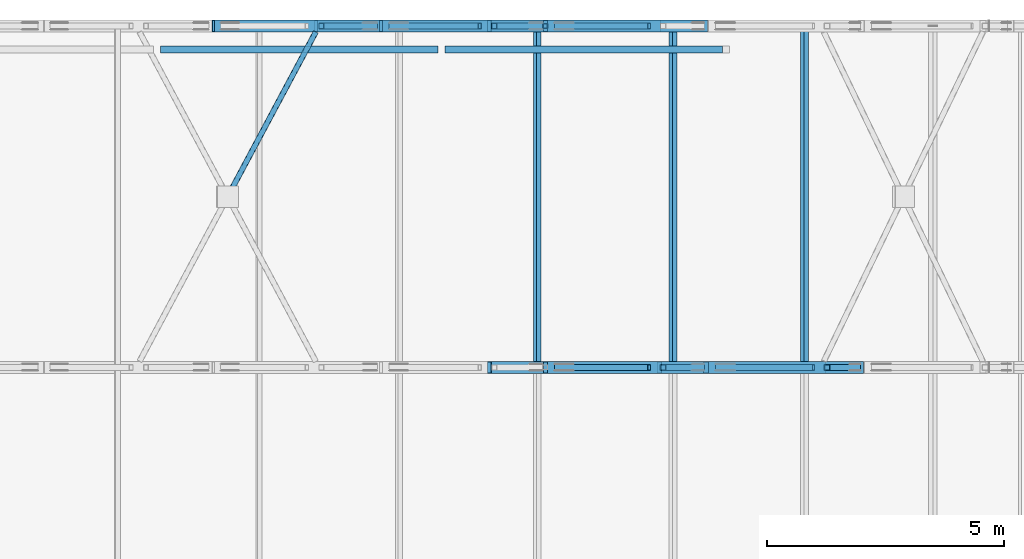
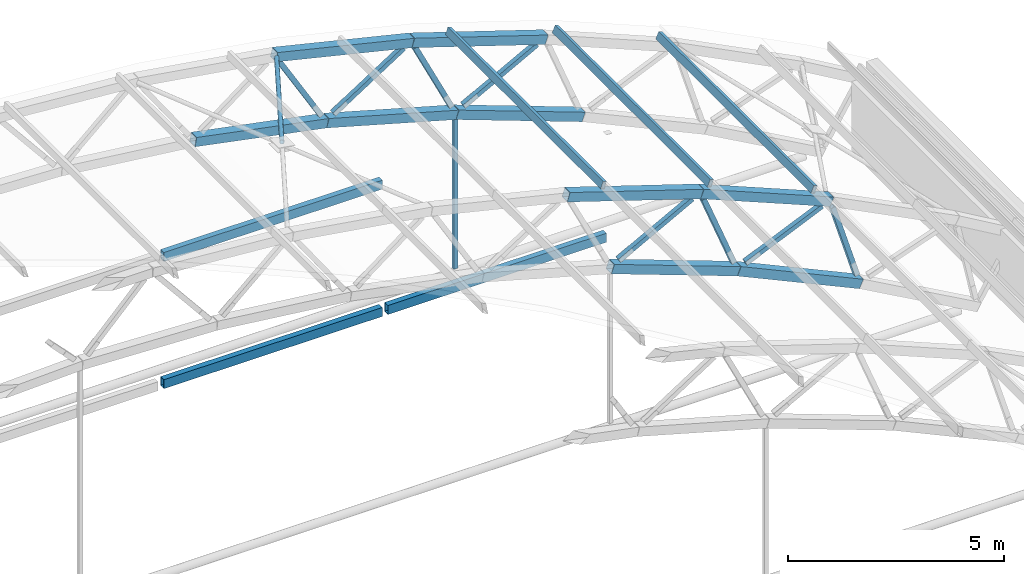
# One storey, part 66 of 127: 22 members, 3 beams.
"""IFC4 building model written with IfcOpenShell, lengths in metres."""

import ifcopenshell
import ifcopenshell.guid

model = None  # the IFC model being written
_history = None  # IfcOwnerHistory: only IFC2X3 demands one
_inside = {}  # id of a spatial element -> (the spatial element, [elements in it])
_under = {}  # id of a project, library or spatial element -> (it, [spatial elements below it])
_declared = {}  # id of a project -> (the project, [libraries it declares])
_typed = {}  # id of a type object -> (the type object, [elements of that type])
_made_of = {}  # id of a material, layer set ... -> (it, [elements and type objects made of it])


def new_model(schema):
    """Start an empty IFC model of exactly this schema.

    Asked for "IFC4X3", IfcOpenShell would pick the latest addendum, in which some entities
    have other attributes; the version numbers below select the first issue.
    IFC2X3 requires an IfcOwnerHistory on every rooted entity: one is made here for all.
    """
    global model, _history
    if schema == "IFC4X3":
        model = ifcopenshell.file(schema_version=(4, 3, 0, 0))
    else:
        model = ifcopenshell.file(schema=schema)
    _inside.clear()
    _under.clear()
    _declared.clear()
    _typed.clear()
    _made_of.clear()
    _history = None
    if model.schema == "IFC2X3":
        org = make("IfcOrganization", Name="unknown")
        user = make(
            "IfcPersonAndOrganization",
            ThePerson=make("IfcPerson", FamilyName="unknown"),
            TheOrganization=org,
        )
        app = make(
            "IfcApplication",
            ApplicationDeveloper=org,
            Version="unknown",
            ApplicationFullName="unknown",
            ApplicationIdentifier="unknown",
        )
        _history = make(
            "IfcOwnerHistory",
            OwningUser=user,
            OwningApplication=app,
            ChangeAction="ADDED",
            CreationDate=0,
        )
    return model


def make(cls, **values):
    """One entity of the class cls with the attributes given. An attribute that is None is left unset."""
    return model.create_entity(
        cls, **{name: value for name, value in values.items() if value is not None}
    )


def rooted(cls, **values):
    """An entity with a GlobalId (a new one), such as an element, a storey or a relation."""
    return make(cls, GlobalId=ifcopenshell.guid.new(), OwnerHistory=_history, **values)


def si_unit(unit_type, name, prefix=None):
    """IfcSIUnit, for example si_unit("LENGTHUNIT", "METRE", prefix="MILLI")."""
    return make("IfcSIUnit", UnitType=unit_type, Prefix=prefix, Name=name)


def assignment(units):
    """IfcUnitAssignment: the units of a project."""
    return None if units is None else make("IfcUnitAssignment", Units=units)


def point(xyz):
    """IfcCartesianPoint."""
    return None if xyz is None else make("IfcCartesianPoint", Coordinates=xyz)


def direction(xyz):
    """IfcDirection."""
    return None if xyz is None else make("IfcDirection", DirectionRatios=xyz)


def frame(location, z_axis=None, x_axis=None):
    """IfcAxis2Placement3D, a coordinate frame: its origin and axes. An axis left out is left unset."""
    return make(
        "IfcAxis2Placement3D",
        Location=point(location),
        Axis=direction(z_axis),
        RefDirection=direction(x_axis),
    )


def frame_2d(location, x_axis=None):
    """IfcAxis2Placement2D, a coordinate frame in the plane: its origin and x axis."""
    return make(
        "IfcAxis2Placement2D", Location=point(location), RefDirection=direction(x_axis)
    )


def origin():
    """The frame at (0, 0, 0) with its axes left unset."""
    return frame((0.0, 0.0, 0.0))


def origin_2d():
    """The frame at (0, 0) in the plane with its x axis left unset."""
    return frame_2d((0.0, 0.0))


def place(relative_to, where):
    """IfcLocalPlacement: puts the frame where relative to a parent placement (None: the world)."""
    return make(
        "IfcLocalPlacement", PlacementRelTo=relative_to, RelativePlacement=where
    )


def context(
    kind, dimensions, precision=None, world=None, true_north=None, identifier=None
):
    """IfcGeometricRepresentationContext, for example the 3D "Model" context."""
    return make(
        "IfcGeometricRepresentationContext",
        ContextIdentifier=identifier,
        ContextType=kind,
        CoordinateSpaceDimension=dimensions,
        Precision=precision,
        WorldCoordinateSystem=world,
        TrueNorth=true_north,
    )


def subcontext(parent, identifier, kind, view, scale=None):
    """IfcGeometricRepresentationSubContext, for example "Body" below "Model"."""
    return make(
        "IfcGeometricRepresentationSubContext",
        ContextIdentifier=identifier,
        ContextType=kind,
        ParentContext=parent,
        TargetScale=scale,
        TargetView=view,
    )


def project(units=None, contexts=None):
    """IfcProject with its units and contexts."""
    return rooted(
        "IfcProject",
        Name="project",
        RepresentationContexts=contexts,
        UnitsInContext=assignment(units),
    )


def spatial(cls, under=None, at=None, **own):
    """A site, building, storey or space (cls), placed at a placement, below another one or the project."""
    s = rooted(cls, ObjectPlacement=at, **own)
    if under is not None:
        _under.setdefault(under.id(), (under, []))[1].append(s)
    return s


def profile(cls, at=None, kind="AREA", **sizes):
    """A parametric profile (cls). Its sizes go by their IFC names, for example OverallWidth=200.0."""
    return make(cls, ProfileType=kind, Position=at, **sizes)


def hollow_rectangle(**sizes):
    """IfcRectangleHollowProfileDef."""
    return profile("IfcRectangleHollowProfileDef", **sizes)


def hollow_circle(**sizes):
    """IfcCircleHollowProfileDef."""
    return profile("IfcCircleHollowProfileDef", **sizes)


def extrude(swept, where, along, depth):
    """IfcExtrudedAreaSolid: the profile swept, set in the frame where, extruded along a direction by depth."""
    return make(
        "IfcExtrudedAreaSolid",
        SweptArea=swept,
        Position=where,
        ExtrudedDirection=direction(along),
        Depth=depth,
    )


def shape(context_of_items, identifier, shape_type, items):
    """IfcShapeRepresentation: the items that make up one representation, for example the "Body"."""
    return make(
        "IfcShapeRepresentation",
        ContextOfItems=context_of_items,
        RepresentationIdentifier=identifier,
        RepresentationType=shape_type,
        Items=items,
    )


def material(Name=None, Category=None):
    """IfcMaterial."""
    return make("IfcMaterial", Name=Name, Category=Category)


def material_profile(
    of_material, cross_section, Name=None, Category=None, Priority=None
):
    """IfcMaterialProfile: a cross section and its material."""
    return make(
        "IfcMaterialProfile",
        Name=Name,
        Material=of_material,
        Profile=cross_section,
        Priority=Priority,
        Category=Category,
    )


def profile_set(profiles, Name=None, composite=None):
    """IfcMaterialProfileSet."""
    return make(
        "IfcMaterialProfileSet",
        Name=Name,
        MaterialProfiles=profiles,
        CompositeProfile=composite,
    )


def made_of(thing, what):
    """Note that an element or type object is made of a material, layer set ...; save() writes the relation."""
    if what is not None:
        _made_of.setdefault(what.id(), (what, []))[1].append(thing)
    return thing


def type_object(cls, material=None, **own):
    """A type object (cls), such as IfcWallType, which elements share."""
    return made_of(rooted(cls, **own), material)


def element(
    cls,
    number,
    at=None,
    inside=None,
    cuts=None,
    type_object=None,
    material=None,
    context=None,
    identifier="Body",
    shape_type=None,
    held_by="IfcProductDefinitionShape",
    body=None,
    shapes=None,
    **own,
):
    """One element of the class cls, such as IfcWall. Its Tag is "e" and its number.

    at: its placement. inside: the storey or other place that contains it. cuts: it is an
    opening in that element (IfcRelVoidsElement). A single representation is given by context,
    identifier, shape_type and body (its items); several are given by shapes. held_by: the class
    of the entity that holds the representations. save() writes the other relations.
    """
    e = rooted(cls, Tag="e%d" % number, ObjectPlacement=at, **own)
    if body is not None:
        shapes = [shape(context, identifier, shape_type, body)]
    if shapes is not None:
        e.Representation = make(held_by, Representations=shapes)
    if inside is not None:
        _inside.setdefault(inside.id(), (inside, []))[1].append(e)
    if cuts is not None:
        rooted(
            "IfcRelVoidsElement", RelatingBuildingElement=cuts, RelatedOpeningElement=e
        )
    if type_object is not None:
        _typed.setdefault(type_object.id(), (type_object, []))[1].append(e)
    return made_of(e, material)


def aggregate(whole, parts):
    """IfcRelAggregates: a whole, such as a stair, and the parts it consists of."""
    return rooted("IfcRelAggregates", RelatingObject=whole, RelatedObjects=parts)


def save(model, path):
    """Write the relations noted so far, then the file.

    IfcRelAggregates (storeys below a building ...), IfcRelContainedInSpatialStructure (elements
    in a storey), IfcRelDefinesByType, IfcRelAssociatesMaterial and IfcRelDeclares: one each for
    every whole, place, type object, material and project.
    """
    for whole, parts in _under.values():
        aggregate(whole, parts)
    for where, things in _inside.values():
        rooted(
            "IfcRelContainedInSpatialStructure",
            RelatedElements=things,
            RelatingStructure=where,
        )
    for kind, things in _typed.values():
        rooted("IfcRelDefinesByType", RelatedObjects=things, RelatingType=kind)
    for what, things in _made_of.values():
        rooted("IfcRelAssociatesMaterial", RelatedObjects=things, RelatingMaterial=what)
    for by, libraries in _declared.values():
        rooted("IfcRelDeclares", RelatingContext=by, RelatedDefinitions=libraries)
    model.write(path)


model = new_model("IFC4")

# Units and contexts
model_context = context("Model", 3, precision=1e-05, world=origin(), true_north=direction((0.0, 1.0)))
body_context = subcontext(model_context, "Body", "Model", "MODEL_VIEW")
ifc_project = project(units=[si_unit("LENGTHUNIT", "METRE"), si_unit("AREAUNIT", "SQUARE_METRE"), si_unit("VOLUMEUNIT", "CUBIC_METRE"), si_unit("PLANEANGLEUNIT", "RADIAN"), si_unit("MASSUNIT", "GRAM", prefix="KILO")], contexts=[model_context])

# Site, building, storey
site_placement = place(None, origin())
site = spatial("IfcSite", under=ifc_project, at=site_placement, CompositionType="ELEMENT")
building_placement = place(site_placement, origin())
building = spatial("IfcBuilding", under=site, at=building_placement, Name="Verrick Yard Athletic Hall", CompositionType="ELEMENT")
storey_placement = place(building_placement, frame((0.0, 0.0, 14.0)))
storey = spatial("IfcBuildingStorey", under=building, at=storey_placement, Name="L03", CompositionType="ELEMENT", Elevation=14.0)

# Members
ifc_material = material(Name="Structural steel HSS Class C 350W (CSA G40.20/G40.21)", Category="steel")
ifc_material_profile_1 = material_profile(ifc_material, hollow_rectangle(XDim=0.25390625, YDim=0.25390625, WallThickness=0.009521484375, at=origin_2d()), Name="HSS254x254x9.5")
ifc_profile_set_1 = profile_set([ifc_material_profile_1], Name="Structural steel HSS Class C 350W (CSA G40.20/G40.21)")
member_type_1 = type_object("IfcMemberType", Name="HB bottom chord HSS254x254x9.5", PredefinedType="CHORD", material=ifc_profile_set_1)
member_1_placement = place(storey_placement, frame((159.797119140625, 100.800048828125, 4.51123046875), z_axis=(0.938394107905, 0.0, -0.345566922966), x_axis=(0.0, 1.0, 0.0)))
element("IfcMember", 1, at=member_1_placement, inside=storey, type_object=member_type_1, Name="Truss TA5 bottom chord 12", PredefinedType="CHORD", context=body_context, shape_type="SweptSolid", body=[
    extrude(hollow_rectangle(XDim=0.25390625, YDim=0.25390625, WallThickness=0.009521484375, at=origin_2d()), origin(), (0.0, 0.0, 1.0), 3.595947265625),
])
for number, where, z_axis, x_axis, name in (
    (2, (163.180908203125, 100.800048828125, 3.2646484375), (0.908445597889, 0.0, -0.418003104865), (0.0, 1.0, 0.0), "Truss TA5 bottom chord 13"),
    (3, (152.789306640625, 108.0, 6.191650390625), (0.980848695375, 0.0, -0.194771242181), (0.0, 1.0, 0.0), "Truss TA6 bottom chord 10"),
    (4, (156.326171875, 108.0, 5.489013671875), (0.962577364933, 0.0, -0.271007041457), (0.0, 1.0, 0.0), "Truss TA6 bottom chord 11"),
):
    element("IfcMember", number, at=place(storey_placement, frame(where, z_axis=z_axis, x_axis=x_axis)), inside=storey, type_object=member_type_1, Name=name, PredefinedType="CHORD", context=body_context, shape_type="SweptSolid", body=[
        extrude(hollow_rectangle(XDim=0.25390625, YDim=0.25390625, WallThickness=0.009521484375, at=origin_2d()), origin(), (0.0, 0.0, 1.0), 3.59619140625),
    ])
member_2_placement = place(storey_placement, frame((159.797119140625, 108.0, 4.51123046875), z_axis=(0.938394107905, 0.0, -0.345566922966), x_axis=(0.0, 1.0, 0.0)))
element("IfcMember", 5, at=member_2_placement, inside=storey, type_object=member_type_1, Name="Truss TA6 bottom chord 12", PredefinedType="CHORD", context=body_context, shape_type="SweptSolid", body=[
    extrude(hollow_rectangle(XDim=0.25390625, YDim=0.25390625, WallThickness=0.009521484375, at=origin_2d()), origin(), (0.0, 0.0, 1.0), 3.595947265625),
])
ifc_material_profile_2 = material_profile(ifc_material, hollow_rectangle(XDim=0.1015625, YDim=0.203125, WallThickness=0.009521484375, at=origin_2d()), Name="HSS203x102x9.5")
ifc_profile_set_2 = profile_set([ifc_material_profile_2], Name="Structural steel HSS Class C 350W (CSA G40.20/G40.21)")
member_type_2 = type_object("IfcMemberType", Name="HB purlin HSS203x102x9.5", PredefinedType="PURLIN", material=ifc_profile_set_2)
for number, where, z_axis, x_axis, name in (
    (6, (159.62060546875, 100.800048828125, 6.872802734375), (0.0, 1.0, 0.0), (-0.951213620533, 0.0, 0.308533058379), "HB-PU-A-5-14"),
    (7, (162.48486328125, 100.800048828125, 5.92431640625), (0.0, 1.0, 0.0), (-0.924122791552, 0.0, 0.382095624331), "HB-PU-A-5-15"),
    (8, (165.25732421875, 100.800048828125, 4.778076171875), (0.0, 1.0, 0.0), (-0.924122791552, 0.0, 0.382095624331), "HB-PU-A-5-16"),
):
    element("IfcMember", number, at=place(storey_placement, frame(where, z_axis=z_axis, x_axis=x_axis)), inside=storey, type_object=member_type_2, Name=name, PredefinedType="PURLIN", context=body_context, shape_type="SweptSolid", body=[
        extrude(hollow_rectangle(XDim=0.1015625, YDim=0.203125, WallThickness=0.009521484375, at=origin_2d()), origin(), (0.0, 0.0, 1.0), 7.199951171875),
    ])
ifc_material_profile_3 = material_profile(ifc_material, hollow_circle(Radius=0.05712890625, WallThickness=0.00634765625, at=origin_2d()), Name="HSS114x6.4")
ifc_profile_set_3 = profile_set([ifc_material_profile_3], Name="Structural steel HSS Class C 350W (CSA G40.20/G40.21)")
member_type_3 = type_object("IfcMemberType", Name="HB roof brace HSS114x6.4", PredefinedType="BRACE", material=ifc_profile_set_3)
member_3_placement = place(storey_placement, frame((153.140625, 104.49267578125, 8.123779296875), z_axis=(0.470494511114, 0.879264003359, -0.07436213693), x_axis=(-0.881705177437, 0.471800784315, 0.0)))
element("IfcMember", 9, at=member_3_placement, inside=storey, type_object=member_type_3, Name="HB-BR-A-5-8b2", PredefinedType="BRACE", context=body_context, shape_type="SweptSolid", body=[
    extrude(hollow_circle(Radius=0.05712890625, WallThickness=0.00634765625, at=origin_2d()), origin(), (0.0, 0.0, 1.0), 3.844482421875),
])
ifc_material_profile_4 = material_profile(ifc_material, hollow_rectangle(XDim=0.25390625, YDim=0.25390625, WallThickness=0.009521484375, at=origin_2d()), Name="HSS254x254x9.5")
ifc_profile_set_4 = profile_set([ifc_material_profile_4], Name="Structural steel HSS Class C 350W (CSA G40.20/G40.21)")
member_type_4 = type_object("IfcMemberType", Name="HB top chord HSS254x254x9.5", PredefinedType="CHORD", material=ifc_profile_set_4)
for number, where, z_axis, x_axis, name in (
    (10, (158.61328125, 100.800048828125, 6.959228515625), (0.951208887206, 0.0, -0.308547650938), (0.0, 1.0, 0.0), "Truss TA5 top chord 12"),
    (11, (162.1923828125, 100.800048828125, 5.7978515625), (0.924139625494, 0.0, -0.382054907823), (0.0, 1.0, 0.0), "Truss TA5 top chord 13"),
    (12, (154.9541015625, 108.0, 7.836669921875), (0.972457525524, 0.0, -0.233080160141), (0.0, 1.0, 0.0), "Truss TA6 top chord 11"),
    (13, (158.61328125, 108.0, 6.959228515625), (0.951208887206, 0.0, -0.308547650938), (0.0, 1.0, 0.0), "Truss TA6 top chord 12"),
):
    element("IfcMember", number, at=place(storey_placement, frame(where, z_axis=z_axis, x_axis=x_axis)), inside=storey, type_object=member_type_4, Name=name, PredefinedType="CHORD", context=body_context, shape_type="SweptSolid", body=[
        extrude(hollow_rectangle(XDim=0.25390625, YDim=0.25390625, WallThickness=0.009521484375, at=origin_2d()), origin(), (0.0, 0.0, 1.0), 3.7529296875),
    ])
ifc_material_profile_5 = material_profile(ifc_material, hollow_rectangle(XDim=0.1015625, YDim=0.1015625, WallThickness=0.00634765625, at=origin_2d()), Name="HSS102x102x6.4")
ifc_profile_set_5 = profile_set([ifc_material_profile_5], Name="Structural steel HSS Class C 350W (CSA G40.20/G40.21)")
member_type_5 = type_object("IfcMemberType", Name="HB truss hanger HSS102x102x6.4", PredefinedType="MEMBER", material=ifc_profile_set_5)
member_4_placement = place(storey_placement, frame((159.79248046875, 108.0, 4.35888671875), z_axis=(0.0, 0.0, -1.0), x_axis=(0.0, -1.0, 0.0)))
element("IfcMember", 14, at=member_4_placement, inside=storey, type_object=member_type_5, Name="Truss TA6 hanger 3", PredefinedType="MEMBER", context=body_context, shape_type="SweptSolid", body=[
    extrude(hollow_rectangle(XDim=0.1015625, YDim=0.1015625, WallThickness=0.00634765625, at=origin_2d()), origin(), (0.0, 0.0, 1.0), 4.249267578125),
])
ifc_material_profile_6 = material_profile(ifc_material, hollow_rectangle(XDim=0.126953125, YDim=0.126953125, WallThickness=0.009521484375, at=origin_2d()), Name="HSS127x127x9.5")
ifc_profile_set_6 = profile_set([ifc_material_profile_6], Name="Structural steel HSS Class C 350W (CSA G40.20/G40.21)")
member_type_6 = type_object("IfcMemberType", Name="HB truss web HSS127x127x9.5", PredefinedType="BRACE", material=ifc_profile_set_6)
for number, where, z_axis, x_axis, name in (
    (15, (160.01171875, 100.800048828125, 4.630615234375), (0.880902446091, 0.0, 0.473297877103), (0.0, 1.0, 0.0), "Truss TA5 web 23"),
    (16, (162.27392578125, 100.800048828125, 5.579345703125), (0.363537858519, 0.0, -0.931579425183), (0.0, 1.0, 0.0), "Truss TA5 web 24"),
    (17, (163.404052734375, 100.800048828125, 3.366943359375), (0.915297302882, 0.0, 0.402778906272), (0.0, 1.0, 0.0), "Truss TA5 web 25"),
    (18, (165.733642578125, 100.800048828125, 4.135498046875), (0.289543214815, 0.0, -0.957164942293), (0.0, 1.0, 0.0), "Truss TA5 web 26"),
    (19, (155.06884765625, 108.0, 7.633544921875), (0.504543682156, 0.0, -0.86338616667), (0.0, 1.0, 0.0), "Truss TA6 web 20"),
    (20, (156.53076171875, 108.0, 5.624755859375), (0.841118094735, 0.0, 0.54085150523), (0.0, 1.0, 0.0), "Truss TA6 web 21"),
    (21, (158.711669921875, 108.0, 6.74755859375), (0.435458074734, 0.0, -0.900209011924), (0.0, 1.0, 0.0), "Truss TA6 web 22"),
    (22, (160.01171875, 108.0, 4.630615234375), (0.880902446091, 0.0, 0.473297877103), (0.0, 1.0, 0.0), "Truss TA6 web 23"),
):
    element("IfcMember", number, at=place(storey_placement, frame(where, z_axis=z_axis, x_axis=x_axis)), inside=storey, type_object=member_type_6, Name=name, PredefinedType="BRACE", context=body_context, shape_type="SweptSolid", body=[
        extrude(hollow_rectangle(XDim=0.126953125, YDim=0.126953125, WallThickness=0.009521484375, at=origin_2d()), origin(), (0.0, 0.0, 1.0), 2.233642578125),
    ])

# Beams
ifc_material_profile_7 = material_profile(ifc_material, hollow_rectangle(XDim=0.15234375, YDim=0.25390625, WallThickness=0.009521484375, at=origin_2d()), Name="HSS254x152x9.5")
ifc_profile_set_7 = profile_set([ifc_material_profile_7], Name="Structural steel HSS Class C 350W (CSA G40.20/G40.21)")
beam_type = type_object("IfcBeamType", Name="HB wind girder HSS254x152x9.5", PredefinedType="BEAM", material=ifc_profile_set_7)
for number, where, z_axis, x_axis, name in (
    (23, (151.67626953125, 107.50537109375, 0.0), (1.0, 0.0, 0.0), (0.0, 1.0, 0.0), "HB-WG-AN-140-5"),
    (24, (157.67626953125, 107.50537109375, 0.0), (1.0, 0.0, 0.0), (0.0, 1.0, 0.0), "HB-WG-AN-140-6"),
    (25, (151.67626953125, 107.50537109375, 3.60009765625), (1.0, 0.0, 0.0), (0.0, 1.0, 0.0), "HB-WG-AN-176-4"),
):
    element("IfcBeam", number, at=place(storey_placement, frame(where, z_axis=z_axis, x_axis=x_axis)), inside=storey, type_object=beam_type, Name=name, PredefinedType="BEAM", context=body_context, shape_type="SweptSolid", body=[
        extrude(hollow_rectangle(XDim=0.15234375, YDim=0.25390625, WallThickness=0.009521484375, at=origin_2d()), origin(), (0.0, 0.0, 1.0), 5.847412109375),
    ])

save(model, "model.ifc")
